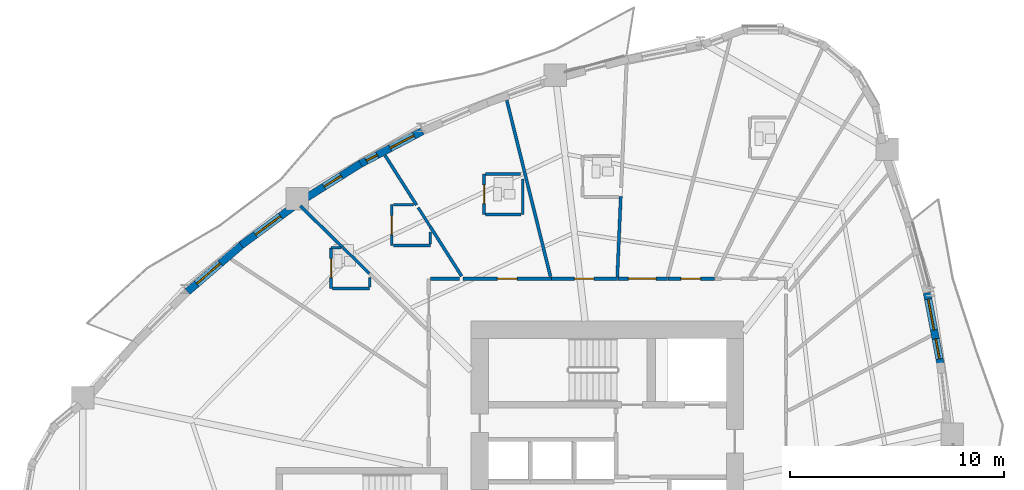
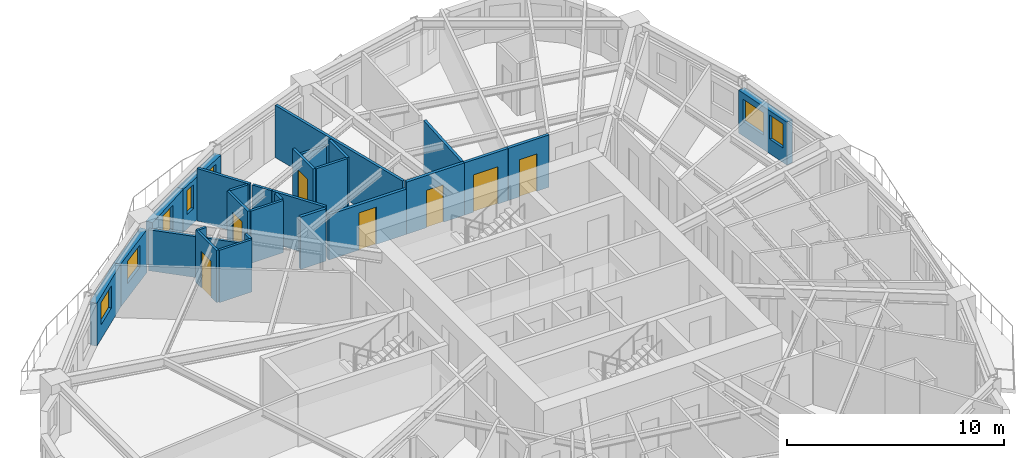
# One storey, part 8 of 14: 29 walls, 7 doors, 7 windows, 14 openings.
"""IFC4 building model written with IfcOpenShell, lengths in metres."""

from ifc_helpers import new_model, si_unit, direction, frame, frame_2d, origin, place, context, subcontext, project, spatial, rectangle, extrude, source, transform, mapped, material, layer, layer_set, type_object, element, fill, save


model = new_model("IFC4")

# Units and contexts
model_context = context("Model", 3, precision=1e-05, world=origin(), true_north=direction((0.0, 1.0)))
body_context = subcontext(model_context, "Body", "Model", "MODEL_VIEW")
ifc_project = project(units=[si_unit("LENGTHUNIT", "METRE"), si_unit("AREAUNIT", "SQUARE_METRE"), si_unit("VOLUMEUNIT", "CUBIC_METRE"), si_unit("PLANEANGLEUNIT", "RADIAN"), si_unit("MASSUNIT", "GRAM", prefix="KILO")], contexts=[model_context])

# Site, building, storey
site_placement = place(None, origin())
site = spatial("IfcSite", under=ifc_project, at=site_placement, CompositionType="ELEMENT")
building_placement = place(site_placement, origin())
building = spatial("IfcBuilding", under=site, at=building_placement, Name="Qafzar Sky-Pleat Residences", CompositionType="ELEMENT")
storey_placement = place(building_placement, frame((0.0, 0.0, 11.0)))
storey = spatial("IfcBuildingStorey", under=building, at=storey_placement, Name="L02", CompositionType="ELEMENT", Elevation=11.0)

# Wall, opening, door
ifc_material_1 = material(Name="Acoustic gypsum plasterboard partition", Category="gypsum")
ifc_layer_1 = layer(ifc_material_1, 0.159912109375)
ifc_layer_set_1 = layer_set([ifc_layer_1], Name="Acoustic gypsum plasterboard partition")
wall_type_1 = type_object("IfcWallType", Name="PART-COR-160", PredefinedType="PARTITIONING", material=ifc_layer_set_1)
wall_1_placement = place(storey_placement, frame((23.617919921875, 36.580078125, 0.0), z_axis=(0.0, 0.0, 1.0), x_axis=(1.0, 0.0, 0.0)))
wall_1 = element("IfcWall", 1, at=wall_1_placement, inside=storey, type_object=wall_type_1, Name="L02 Partition Wall PART-L02-PW-001", PredefinedType="PARTITIONING", context=body_context, shape_type="SweptSolid", body=[
    extrude(rectangle(XDim=4.123046875, YDim=0.159912109375, at=frame_2d((2.0615234375, 0.0))), origin(), (0.0, 0.0, 1.0), 2.548095703125),
])
opening_1_placement = place(wall_1_placement, frame((1.60302734375, 0.0, 0.0)))
opening_1 = element("IfcOpeningElement", 2, at=opening_1_placement, cuts=wall_1, Name="Opening ID-04", PredefinedType="OPENING", context=body_context, shape_type="SweptSolid", body=[
    extrude(rectangle(XDim=0.919921875, YDim=2.10009765625, at=frame_2d((0.4599609375, 1.050048828125))), frame((0.0, 0.08984375, 0.0), z_axis=(0.0, -1.0, 0.0), x_axis=(1.0, 0.0, 0.0)), (0.0, 0.0, 1.0), 0.179931640625),
])
ifc_material_2 = material(Name="Timber-faced fire door", Category="wood")
door_type_1 = type_object("IfcDoorType", Name="DR-BED-920", OperationType="NOTDEFINED", PredefinedType="DOOR", material=ifc_material_2)
shared_shape_1 = source(origin(), body_context, "Body", "SweptSolid", [
    extrude(rectangle(XDim=0.919921875, YDim=2.10009765625, at=frame_2d((0.4599609375, 1.050048828125))), frame((0.0, 0.02490234375, 0.0), z_axis=(0.0, -1.0, 0.0), x_axis=(1.0, 0.0, 0.0)), (0.0, 0.0, 1.0), 0.050048828125),
])
door_1_placement = place(opening_1_placement, origin())
door_1 = element("IfcDoor", 3, at=door_1_placement, inside=storey, type_object=door_type_1, Name="L02 Co-Living Bedroom 9 Door", OperationType="SINGLE_SWING_RIGHT", OverallHeight=2.10009765625, OverallWidth=0.919921875, PredefinedType="DOOR", context=body_context, shape_type="MappedRepresentation", body=[
    mapped(shared_shape_1, transform((0.0, 0.0, 0.0), x_axis=(1.0, 0.0, 0.0), y_axis=(0.0, 1.0, 0.0), z_axis=(0.0, 0.0, 1.0), scale=1.0)),
])
fill(opening_1, door_1)

wall_2_placement = place(storey_placement, frame((27.756103515625, 36.580078125, 0.0), z_axis=(0.0, 0.0, 1.0), x_axis=(1.0, 0.0, 0.0)))
wall_2 = element("IfcWall", 4, at=wall_2_placement, inside=storey, type_object=wall_type_1, Name="L02 Partition Wall PART-L02-PW-006", PredefinedType="PARTITIONING", context=body_context, shape_type="SweptSolid", body=[
    extrude(rectangle(XDim=3.06982421875, YDim=0.159912109375, at=frame_2d((1.534912109375, 0.0))), origin(), (0.0, 0.0, 1.0), 2.93994140625),
])
opening_2_placement = place(wall_2_placement, frame((1.052490234375, 0.0, 0.0)))
opening_2 = element("IfcOpeningElement", 5, at=opening_2_placement, cuts=wall_2, Name="Opening ID-04", PredefinedType="OPENING", context=body_context, shape_type="SweptSolid", body=[
    extrude(rectangle(XDim=0.919921875, YDim=2.10009765625, at=frame_2d((0.4599609375, 1.050048828125))), frame((0.0, 0.08984375, 0.0), z_axis=(0.0, -1.0, 0.0), x_axis=(1.0, 0.0, 0.0)), (0.0, 0.0, 1.0), 0.179931640625),
])
door_2_placement = place(opening_2_placement, origin())
door_2 = element("IfcDoor", 6, at=door_2_placement, inside=storey, type_object=door_type_1, Name="L02 Co-Living Bedroom 8 Door", OperationType="SINGLE_SWING_RIGHT", OverallHeight=2.10009765625, OverallWidth=0.919921875, PredefinedType="DOOR", context=body_context, shape_type="MappedRepresentation", body=[
    mapped(shared_shape_1, transform((0.0, 0.0, 0.0), x_axis=(1.0, 0.0, 0.0), y_axis=(0.0, 1.0, 0.0), z_axis=(0.0, 0.0, 1.0), scale=1.0)),
])
fill(opening_2, door_2)

wall_3_placement = place(storey_placement, frame((30.841064453125, 36.580078125, 0.0), z_axis=(0.0, 0.0, 1.0), x_axis=(1.0, 0.0, 0.0)))
wall_3 = element("IfcWall", 7, at=wall_3_placement, inside=storey, type_object=wall_type_1, Name="L02 Partition Wall PART-L02-PW-018", PredefinedType="PARTITIONING", context=body_context, shape_type="SweptSolid", body=[
    extrude(rectangle(XDim=2.31591796875, YDim=0.159912109375, at=frame_2d((1.157958984375, 0.0))), origin(), (0.0, 0.0, 1.0), 2.93994140625),
])
opening_3_placement = place(wall_3_placement, frame((0.485107421875, 0.0, 0.0)))
opening_3 = element("IfcOpeningElement", 8, at=opening_3_placement, cuts=wall_3, Name="Opening ID-05", PredefinedType="OPENING", context=body_context, shape_type="SweptSolid", body=[
    extrude(rectangle(XDim=1.300048828125, YDim=2.10009765625, at=frame_2d((0.64990234375, 1.050048828125))), frame((0.0, 0.08984375, 0.0), z_axis=(0.0, -1.0, 0.0), x_axis=(1.0, 0.0, 0.0)), (0.0, 0.0, 1.0), 0.179931640625),
])
door_type_2 = type_object("IfcDoorType", Name="DR-LNG-1300", OperationType="DOUBLE_DOOR_SINGLE_SWING", PredefinedType="DOOR", material=ifc_material_2)
shared_shape_2 = source(origin(), body_context, "Body", "SweptSolid", [
    extrude(rectangle(XDim=1.300048828125, YDim=2.10009765625, at=frame_2d((0.64990234375, 1.050048828125))), frame((0.0, 0.02490234375, 0.0), z_axis=(0.0, -1.0, 0.0), x_axis=(1.0, 0.0, 0.0)), (0.0, 0.0, 1.0), 0.050048828125),
])
door_3_placement = place(opening_3_placement, origin())
door_3 = element("IfcDoor", 9, at=door_3_placement, inside=storey, type_object=door_type_2, Name="L02 Communal Kitchen Door", OperationType="DOUBLE_DOOR_SINGLE_SWING", OverallHeight=2.10009765625, OverallWidth=1.300048828125, PredefinedType="DOOR", context=body_context, shape_type="MappedRepresentation", body=[
    mapped(shared_shape_2, transform((0.0, 0.0, 0.0), x_axis=(1.0, 0.0, 0.0), y_axis=(0.0, 1.0, 0.0), z_axis=(0.0, 0.0, 1.0), scale=1.0)),
])
fill(opening_3, door_3)

wall_4_placement = place(storey_placement, frame((33.172119140625, 36.580078125, 0.0), z_axis=(0.0, 0.0, 1.0), x_axis=(1.0, 0.0, 0.0)))
wall_4 = element("IfcWall", 10, at=wall_4_placement, inside=storey, type_object=wall_type_1, Name="L02 Partition Wall PART-L02-PW-020", PredefinedType="PARTITIONING", context=body_context, shape_type="SweptSolid", body=[
    extrude(rectangle(XDim=2.1728515625, YDim=0.159912109375, at=frame_2d((1.08642578125, 0.0))), origin(), (0.0, 0.0, 1.0), 2.93994140625),
])
opening_4_placement = place(wall_4_placement, frame((0.60302734375, 0.0, 0.0)))
opening_4 = element("IfcOpeningElement", 11, at=opening_4_placement, cuts=wall_4, Name="Opening ID-04", PredefinedType="OPENING", context=body_context, shape_type="SweptSolid", body=[
    extrude(rectangle(XDim=0.919921875, YDim=2.10009765625, at=frame_2d((0.4599609375, 1.050048828125))), frame((0.0, 0.08984375, 0.0), z_axis=(0.0, -1.0, 0.0), x_axis=(1.0, 0.0, 0.0)), (0.0, 0.0, 1.0), 0.179931640625),
])
door_4_placement = place(opening_4_placement, origin())
door_4 = element("IfcDoor", 12, at=door_4_placement, inside=storey, type_object=door_type_1, Name="L02 Co-Living Bedroom 7 Door", OperationType="SINGLE_SWING_LEFT", OverallHeight=2.10009765625, OverallWidth=0.919921875, PredefinedType="DOOR", context=body_context, shape_type="MappedRepresentation", body=[
    mapped(shared_shape_1, transform((0.0, 0.0, 0.0), x_axis=(1.0, 0.0, 0.0), y_axis=(0.0, 1.0, 0.0), z_axis=(0.0, 0.0, 1.0), scale=1.0)),
])
fill(opening_4, door_4)

# Walls
wall_5_placement = place(storey_placement, frame((22.10791015625, 36.580078125, 0.0), z_axis=(0.0, 0.0, 1.0), x_axis=(1.0, 0.0, 0.0)))
element("IfcWall", 13, at=wall_5_placement, inside=storey, type_object=wall_type_1, Name="L02 Partition Wall PART-L02-PW-097", PredefinedType="PARTITIONING", context=body_context, shape_type="SweptSolid", body=[
    extrude(rectangle(XDim=1.350341796875, YDim=0.159912109375, at=frame_2d((0.67529296875, 0.0))), origin(), (0.0, 0.0, 1.0), 2.93994140625),
])
ifc_layer_2 = layer(ifc_material_1, 0.14501953125)
ifc_layer_set_2 = layer_set([ifc_layer_2], Name="Acoustic gypsum plasterboard partition")
wall_type_2 = type_object("IfcWallType", Name="PART-UNIT-145", PredefinedType="PARTITIONING", material=ifc_layer_set_2)
wall_6_placement = place(storey_placement, frame((25.6630859375, 44.89892578125, 0.0), z_axis=(0.0, 0.0, 1.0), x_axis=(0.240695577024, -0.970600658974, 0.0)))
element("IfcWall", 14, at=wall_6_placement, inside=storey, type_object=wall_type_2, Name="L02 Partition Wall PART-L02-PW-046", PredefinedType="PARTITIONING", context=body_context, shape_type="SweptSolid", body=[
    extrude(rectangle(XDim=8.46240234375, YDim=0.14501953125, at=frame_2d((4.231201171875, 0.0))), origin(), (0.0, 0.0, 1.0), 2.93994140625),
])
wall_7_placement = place(storey_placement, frame((30.81494140625, 36.671142578125, 0.0), z_axis=(0.0, 0.0, 1.0), x_axis=(0.043352224588, 0.999059850371, 0.0)))
element("IfcWall", 15, at=wall_7_placement, inside=storey, type_object=wall_type_2, Name="L02 Partition Wall PART-L02-PW-062", PredefinedType="PARTITIONING", context=body_context, shape_type="SweptSolid", body=[
    extrude(rectangle(XDim=3.7392578125, YDim=0.14501953125, at=frame_2d((1.86962890625, 0.0))), origin(), (0.0, 0.0, 1.0), 2.93994140625),
])
wall_8_placement = place(storey_placement, frame((22.08203125, 39.028076171875, 0.0), z_axis=(0.0, 0.0, 1.0), x_axis=(0.535944885386, -0.844252971465, 0.0)))
element("IfcWall", 16, at=wall_8_placement, inside=storey, type_object=wall_type_2, Name="L02 Partition Wall PART-L02-PW-069", PredefinedType="PARTITIONING", context=body_context, shape_type="SweptSolid", body=[
    extrude(rectangle(XDim=2.7509765625, YDim=0.14501953125, at=frame_2d((1.37548828125, 0.0))), origin(), (0.0, 0.0, 1.0), 2.93994140625),
])
wall_9_placement = place(storey_placement, frame((16.033935546875, 39.97412109375, 0.0), z_axis=(0.0, 0.0, 1.0), x_axis=(0.715628345471, -0.69848126042, 0.0)))
element("IfcWall", 17, at=wall_9_placement, inside=storey, type_object=wall_type_2, Name="L02 Partition Wall PART-L02-PW-071", PredefinedType="PARTITIONING", context=body_context, shape_type="SweptSolid", body=[
    extrude(rectangle(XDim=2.790771484375, YDim=0.14501953125, at=frame_2d((1.3955078125, 0.0))), origin(), (0.0, 0.0, 1.0), 2.30810546875),
])
wall_10_placement = place(storey_placement, frame((19.98681640625, 42.329833984375, 0.0), z_axis=(0.0, 0.0, 1.0), x_axis=(0.535808561115, -0.844339496788, 0.0)))
element("IfcWall", 18, at=wall_10_placement, inside=storey, type_object=wall_type_2, Name="L02 Partition Wall PART-L02-PW-072", PredefinedType="PARTITIONING", context=body_context, shape_type="SweptSolid", body=[
    extrude(rectangle(XDim=2.740234375, YDim=0.14501953125, at=frame_2d((1.3701171875, 0.0))), origin(), (0.0, 0.0, 1.0), 2.93994140625),
])

# Wall, opening, door
ifc_material_3 = material(Name="Moisture-resistant gypsum partition", Category="gypsum")
ifc_layer_3 = layer(ifc_material_3, 0.1298828125)
ifc_layer_set_3 = layer_set([ifc_layer_3], Name="Moisture-resistant gypsum partition")
wall_type_3 = type_object("IfcWallType", Name="PART-WET-130", PredefinedType="PARTITIONING", material=ifc_layer_set_3)
wall_11_placement = place(storey_placement, frame((24.60595703125, 41.469970703125, 0.0), z_axis=(0.0, 0.0, 1.0), x_axis=(0.0, -1.0, 0.0)))
wall_11 = element("IfcWall", 19, at=wall_11_placement, inside=storey, type_object=wall_type_3, Name="L02 Partition Wall PART-L02-PW-029", PredefinedType="PARTITIONING", context=body_context, shape_type="SweptSolid", body=[
    extrude(rectangle(XDim=1.89990234375, YDim=0.1298828125, at=frame_2d((0.949951171875, 0.0))), origin(), (0.0, 0.0, 1.0), 2.93994140625),
])
opening_5_placement = place(wall_11_placement, frame((0.510009765625, 0.0, 0.0)))
opening_5 = element("IfcOpeningElement", 20, at=opening_5_placement, cuts=wall_11, Name="Opening ID-07", PredefinedType="OPENING", context=body_context, shape_type="SweptSolid", body=[
    extrude(rectangle(XDim=0.8798828125, YDim=2.050048828125, at=frame_2d((0.43994140625, 1.02490234375))), frame((0.0, 0.074951171875, 0.0), z_axis=(0.0, -1.0, 0.0), x_axis=(1.0, 0.0, 0.0)), (0.0, 0.0, 1.0), 0.14990234375),
])
door_type_3 = type_object("IfcDoorType", Name="DR-WET-880", OperationType="NOTDEFINED", PredefinedType="DOOR", material=ifc_material_2)
shared_shape_3 = source(origin(), body_context, "Body", "SweptSolid", [
    extrude(rectangle(XDim=0.8798828125, YDim=2.050048828125, at=frame_2d((0.43994140625, 1.02490234375))), frame((0.0, 0.02490234375, 0.0), z_axis=(0.0, -1.0, 0.0), x_axis=(1.0, 0.0, 0.0)), (0.0, 0.0, 1.0), 0.050048828125),
])
door_5_placement = place(opening_5_placement, origin())
door_5 = element("IfcDoor", 21, at=door_5_placement, inside=storey, type_object=door_type_3, Name="L02 En-suite Bathroom 9 Door", OperationType="SINGLE_SWING_RIGHT", OverallHeight=2.050048828125, OverallWidth=0.8798828125, PredefinedType="DOOR", context=body_context, shape_type="MappedRepresentation", body=[
    mapped(shared_shape_3, transform((0.0, 0.0, 0.0), x_axis=(1.0, 0.0, 0.0), y_axis=(0.0, 1.0, 0.0), z_axis=(0.0, 0.0, 1.0), scale=1.0)),
])
fill(opening_5, door_5)

wall_12_placement = place(storey_placement, frame((17.470947265625, 38.02490234375, 0.0), z_axis=(0.0, 0.0, 1.0), x_axis=(0.0, -1.0, 0.0)))
wall_12 = element("IfcWall", 22, at=wall_12_placement, inside=storey, type_object=wall_type_3, Name="L02 Partition Wall PART-L02-PW-030", PredefinedType="PARTITIONING", context=body_context, shape_type="SweptSolid", body=[
    extrude(rectangle(XDim=1.89990234375, YDim=0.1298828125, at=frame_2d((0.949951171875, 0.0))), origin(), (0.0, 0.0, 1.0), 2.93994140625),
])
opening_6_placement = place(wall_12_placement, frame((0.510009765625, 0.0, 0.0)))
opening_6 = element("IfcOpeningElement", 23, at=opening_6_placement, cuts=wall_12, Name="Opening ID-07", PredefinedType="OPENING", context=body_context, shape_type="SweptSolid", body=[
    extrude(rectangle(XDim=0.8798828125, YDim=2.050048828125, at=frame_2d((0.43994140625, 1.02490234375))), frame((0.0, 0.074951171875, 0.0), z_axis=(0.0, -1.0, 0.0), x_axis=(1.0, 0.0, 0.0)), (0.0, 0.0, 1.0), 0.14990234375),
])
door_6_placement = place(opening_6_placement, origin())
door_6 = element("IfcDoor", 24, at=door_6_placement, inside=storey, type_object=door_type_3, Name="L02 En-suite Bathroom 10 Door", OperationType="SINGLE_SWING_LEFT", OverallHeight=2.050048828125, OverallWidth=0.8798828125, PredefinedType="DOOR", context=body_context, shape_type="MappedRepresentation", body=[
    mapped(shared_shape_3, transform((0.0, 0.0, 0.0), x_axis=(1.0, 0.0, 0.0), y_axis=(0.0, 1.0, 0.0), z_axis=(0.0, 0.0, 1.0), scale=1.0)),
])
fill(opening_6, door_6)

wall_13_placement = place(storey_placement, frame((20.297119140625, 40.031005859375, 0.0), z_axis=(0.0, 0.0, 1.0), x_axis=(0.0, -1.0, 0.0)))
wall_13 = element("IfcWall", 25, at=wall_13_placement, inside=storey, type_object=wall_type_3, Name="L02 Partition Wall PART-L02-PW-031", PredefinedType="PARTITIONING", context=body_context, shape_type="SweptSolid", body=[
    extrude(rectangle(XDim=1.89990234375, YDim=0.1298828125, at=frame_2d((0.949951171875, 0.0))), origin(), (0.0, 0.0, 1.0), 2.93994140625),
])
opening_7_placement = place(wall_13_placement, frame((0.510009765625, 0.0, 0.0)))
opening_7 = element("IfcOpeningElement", 26, at=opening_7_placement, cuts=wall_13, Name="Opening ID-07", PredefinedType="OPENING", context=body_context, shape_type="SweptSolid", body=[
    extrude(rectangle(XDim=0.8798828125, YDim=2.050048828125, at=frame_2d((0.43994140625, 1.02490234375))), frame((0.0, 0.074951171875, 0.0), z_axis=(0.0, -1.0, 0.0), x_axis=(1.0, 0.0, 0.0)), (0.0, 0.0, 1.0), 0.14990234375),
])
door_7_placement = place(opening_7_placement, origin())
door_7 = element("IfcDoor", 27, at=door_7_placement, inside=storey, type_object=door_type_3, Name="L02 En-suite Bathroom 11 Door", OperationType="SINGLE_SWING_RIGHT", OverallHeight=2.050048828125, OverallWidth=0.8798828125, PredefinedType="DOOR", context=body_context, shape_type="MappedRepresentation", body=[
    mapped(shared_shape_3, transform((0.0, 0.0, 0.0), x_axis=(1.0, 0.0, 0.0), y_axis=(0.0, 1.0, 0.0), z_axis=(0.0, 0.0, 1.0), scale=1.0)),
])
fill(opening_7, door_7)

# Walls
wall_14_placement = place(storey_placement, frame((26.406005859375, 39.570068359375, 0.0), z_axis=(0.0, 0.0, 1.0), x_axis=(0.0, 1.0, 0.0)))
element("IfcWall", 28, at=wall_14_placement, inside=storey, type_object=wall_type_3, Name="L02 Partition Wall PART-L02-PW-076", PredefinedType="PARTITIONING", context=body_context, shape_type="SweptSolid", body=[
    extrude(rectangle(XDim=1.659912109375, YDim=0.1298828125, at=frame_2d((0.830078125, 0.0))), origin(), (0.0, 0.0, 1.0), 2.93994140625),
])
wall_15_placement = place(storey_placement, frame((17.5439453125, 36.125, 0.0), z_axis=(0.0, 0.0, 1.0), x_axis=(1.0, 0.0, 0.0)))
element("IfcWall", 29, at=wall_15_placement, inside=storey, type_object=wall_type_3, Name="L02 Partition Wall PART-L02-PW-082", PredefinedType="PARTITIONING", context=body_context, shape_type="SweptSolid", body=[
    extrude(rectangle(XDim=1.72705078125, YDim=0.1298828125, at=frame_2d((0.863525390625, 0.0))), origin(), (0.0, 0.0, 1.0), 2.93994140625),
])
wall_16_placement = place(storey_placement, frame((20.3701171875, 38.131103515625, 0.0), z_axis=(0.0, 0.0, 1.0), x_axis=(1.0, 0.0, 0.0)))
element("IfcWall", 30, at=wall_16_placement, inside=storey, type_object=wall_type_3, Name="L02 Partition Wall PART-L02-PW-083", PredefinedType="PARTITIONING", context=body_context, shape_type="SweptSolid", body=[
    extrude(rectangle(XDim=1.726806640625, YDim=0.1298828125, at=frame_2d((0.86328125, 0.0))), origin(), (0.0, 0.0, 1.0), 2.93994140625),
])
wall_17_placement = place(storey_placement, frame((24.678955078125, 41.469970703125, 0.0), z_axis=(0.0, 0.0, 1.0), x_axis=(1.0, 0.0, 0.0)))
element("IfcWall", 31, at=wall_17_placement, inside=storey, type_object=wall_type_3, Name="L02 Partition Wall PART-L02-PW-087", PredefinedType="PARTITIONING", context=body_context, shape_type="SweptSolid", body=[
    extrude(rectangle(XDim=1.628173828125, YDim=0.1298828125, at=frame_2d((0.81396484375, 0.0))), origin(), (0.0, 0.0, 1.0), 2.508056640625),
])
wall_18_placement = place(storey_placement, frame((24.678955078125, 39.570068359375, 0.0), z_axis=(0.0, 0.0, 1.0), x_axis=(1.0, 0.0, 0.0)))
element("IfcWall", 32, at=wall_18_placement, inside=storey, type_object=wall_type_3, Name="L02 Partition Wall PART-L02-PW-088", PredefinedType="PARTITIONING", context=body_context, shape_type="SweptSolid", body=[
    extrude(rectangle(XDim=1.654052734375, YDim=0.1298828125, at=frame_2d((0.8271484375, 0.0))), origin(), (0.0, 0.0, 1.0), 2.93994140625),
])
wall_19_placement = place(storey_placement, frame((18.041748046875, 38.014404296875, 0.0), z_axis=(0.0, 0.0, 1.0), x_axis=(0.715729497461, -0.698377610225, 0.0)))
element("IfcWall", 33, at=wall_19_placement, inside=storey, type_object=wall_type_3, Name="L02 Partition Wall PART-L02-PW-095", PredefinedType="PARTITIONING", context=body_context, shape_type="SweptSolid", body=[
    extrude(rectangle(XDim=1.702392578125, YDim=0.1298828125, at=frame_2d((0.85107421875, 0.0))), origin(), (0.0, 0.0, 1.0), 2.30810546875),
])
wall_20_placement = place(storey_placement, frame((20.3701171875, 40.031005859375, 0.0), z_axis=(0.0, 0.0, 1.0), x_axis=(1.0, 0.0, 0.0)))
element("IfcWall", 34, at=wall_20_placement, inside=storey, type_object=wall_type_3, Name="L02 Partition Wall PART-L02-PW-103", PredefinedType="PARTITIONING", context=body_context, shape_type="SweptSolid", body=[
    extrude(rectangle(XDim=0.940673828125, YDim=0.1298828125, at=frame_2d((0.47021484375, 0.0))), origin(), (0.0, 0.0, 1.0), 2.93994140625),
])
wall_21_placement = place(storey_placement, frame((21.53076171875, 39.896728515625, 0.0), z_axis=(0.0, 0.0, 1.0), x_axis=(0.536002688679, -0.844216274262, 0.0)))
element("IfcWall", 35, at=wall_21_placement, inside=storey, type_object=wall_type_3, Name="L02 Partition Wall PART-L02-PW-104", PredefinedType="PARTITIONING", context=body_context, shape_type="SweptSolid", body=[
    extrude(rectangle(XDim=1.013916015625, YDim=0.1298828125, at=frame_2d((0.5068359375, 0.0))), origin(), (0.0, 0.0, 1.0), 2.93994140625),
])
wall_22_placement = place(storey_placement, frame((22.096923828125, 38.2041015625, 0.0), z_axis=(0.0, 0.0, 1.0), x_axis=(0.0, 1.0, 0.0)))
element("IfcWall", 36, at=wall_22_placement, inside=storey, type_object=wall_type_3, Name="L02 Partition Wall PART-L02-PW-110", PredefinedType="PARTITIONING", context=body_context, shape_type="SweptSolid", body=[
    extrude(rectangle(XDim=0.560791015625, YDim=0.1298828125, at=frame_2d((0.2802734375, 0.0))), origin(), (0.0, 0.0, 1.0), 2.93994140625),
])
wall_23_placement = place(storey_placement, frame((19.27099609375, 36.197998046875, 0.0), z_axis=(0.0, 0.0, 1.0), x_axis=(0.0, 1.0, 0.0)))
element("IfcWall", 37, at=wall_23_placement, inside=storey, type_object=wall_type_3, Name="L02 Partition Wall PART-L02-PW-115", PredefinedType="PARTITIONING", context=body_context, shape_type="SweptSolid", body=[
    extrude(rectangle(XDim=0.444091796875, YDim=0.1298828125, at=frame_2d((0.22216796875, 0.0))), origin(), (0.0, 0.0, 1.0), 2.93994140625),
])
wall_24_placement = place(storey_placement, frame((17.470947265625, 38.02490234375, 0.0), z_axis=(0.0, 0.0, 1.0), x_axis=(1.0, 0.0, 0.0)))
element("IfcWall", 38, at=wall_24_placement, inside=storey, type_object=wall_type_3, Name="L02 Partition Wall PART-L02-PW-117", PredefinedType="PARTITIONING", context=body_context, shape_type="SweptSolid", body=[
    extrude(rectangle(XDim=0.469970703125, YDim=0.1298828125, at=frame_2d((0.23486328125, 0.0))), origin(), (0.0, 0.0, 1.0), 2.93994140625),
])

# Wall, openings, windows
ifc_material_4 = material(Name="Precast concrete C40/50 with honed Riyadh limestone", Category="concrete")
ifc_layer_4 = layer(ifc_material_4, 0.35009765625)
ifc_layer_set_4 = layer_set([ifc_layer_4], Name="Precast concrete C40/50 with honed Riyadh limestone")
wall_type_4 = type_object("IfcWallType", Name="WALL-EXT-350", PredefinedType="SOLIDWALL", material=ifc_layer_set_4)
wall_25_placement = place(storey_placement, frame((45.888916015625, 32.5810546875, 0.0), z_axis=(0.0, 0.0, 1.0), x_axis=(-0.186670339622, 0.98242260983, 0.0)))
wall_25 = element("IfcWall", 39, at=wall_25_placement, inside=storey, type_object=wall_type_4, Name="L02 Limestone Facade Wall 30", PredefinedType="SOLIDWALL", context=body_context, shape_type="SweptSolid", body=[
    extrude(rectangle(XDim=3.403076171875, YDim=0.35009765625, at=frame_2d((1.70166015625, 0.0))), origin(), (0.0, 0.0, 1.0), 2.419921875),
])
opening_8_placement = place(wall_25_placement, frame((0.2685546875, 0.0, 0.820068359375)))
opening_8 = element("IfcOpeningElement", 40, at=opening_8_placement, cuts=wall_25, Name="Opening WN-12", PredefinedType="OPENING", context=body_context, shape_type="SweptSolid", body=[
    extrude(rectangle(XDim=0.949951171875, YDim=1.35009765625, at=frame_2d((0.47509765625, 0.675048828125))), frame((0.0, 0.18505859375, 0.0), z_axis=(0.0, -1.0, 0.0), x_axis=(1.0, 0.0, 0.0)), (0.0, 0.0, 1.0), 0.3701171875),
])
opening_9_placement = place(wall_25_placement, frame((1.650146484375, 0.0, 0.820068359375)))
opening_9 = element("IfcOpeningElement", 41, at=opening_9_placement, cuts=wall_25, Name="Opening WN-15", PredefinedType="OPENING", context=body_context, shape_type="SweptSolid", body=[
    extrude(rectangle(XDim=1.449951171875, YDim=1.25, at=frame_2d((0.72509765625, 0.625))), frame((0.0, 0.18505859375, 0.0), z_axis=(0.0, -1.0, 0.0), x_axis=(1.0, 0.0, 0.0)), (0.0, 0.0, 1.0), 0.3701171875),
])
ifc_material_5 = material(Name="Solar-control low-E glass in bronze aluminium frame", Category="glass")
window_type_1 = type_object("IfcWindowType", Name="WIN-12", PartitioningType="SINGLE_PANEL", PredefinedType="WINDOW", material=ifc_material_5)
shared_shape_4 = source(origin(), body_context, "Body", "SweptSolid", [
    extrude(rectangle(XDim=0.949951171875, YDim=1.35009765625, at=frame_2d((0.47509765625, 0.675048828125))), frame((0.0, 0.030029296875, 0.0), z_axis=(0.0, -1.0, 0.0), x_axis=(1.0, 0.0, 0.0)), (0.0, 0.0, 1.0), 0.06005859375),
])
window_1_placement = place(opening_8_placement, origin())
window_1 = element("IfcWindow", 42, at=window_1_placement, inside=storey, type_object=window_type_1, Name="L02 Punched Facade Window 30", OverallHeight=1.35009765625, OverallWidth=0.949951171875, PartitioningType="SINGLE_PANEL", PredefinedType="WINDOW", context=body_context, shape_type="MappedRepresentation", body=[
    mapped(shared_shape_4, transform((0.0, 0.0, 0.0), x_axis=(1.0, 0.0, 0.0), y_axis=(0.0, 1.0, 0.0), z_axis=(0.0, 0.0, 1.0), scale=1.0)),
])
fill(opening_8, window_1)
window_type_2 = type_object("IfcWindowType", Name="WIN-15", PartitioningType="SINGLE_PANEL", PredefinedType="WINDOW", material=ifc_material_5)
shared_shape_5 = source(origin(), body_context, "Body", "SweptSolid", [
    extrude(rectangle(XDim=1.449951171875, YDim=1.25, at=frame_2d((0.72509765625, 0.625))), frame((0.0, 0.030029296875, 0.0), z_axis=(0.0, -1.0, 0.0), x_axis=(1.0, 0.0, 0.0)), (0.0, 0.0, 1.0), 0.06005859375),
])
window_2_placement = place(opening_9_placement, origin())
window_2 = element("IfcWindow", 43, at=window_2_placement, inside=storey, type_object=window_type_2, Name="L02 Punched Facade Window 30-2", OverallHeight=1.25, OverallWidth=1.449951171875, PartitioningType="SINGLE_PANEL", PredefinedType="WINDOW", context=body_context, shape_type="MappedRepresentation", body=[
    mapped(shared_shape_5, transform((0.0, 0.0, 0.0), x_axis=(1.0, 0.0, 0.0), y_axis=(0.0, 1.0, 0.0), z_axis=(0.0, 0.0, 1.0), scale=1.0)),
])
fill(opening_9, window_2)

wall_26_placement = place(storey_placement, frame((21.7275390625, 43.4619140625, 0.0), z_axis=(0.0, 0.0, 1.0), x_axis=(-0.884404833282, -0.466720570435, 0.0)))
wall_26 = element("IfcWall", 44, at=wall_26_placement, inside=storey, type_object=wall_type_4, Name="L02 Limestone Facade Wall 43", PredefinedType="SOLIDWALL", context=body_context, shape_type="SweptSolid", body=[
    extrude(rectangle(XDim=3.345703125, YDim=0.35009765625, at=frame_2d((1.6728515625, 0.0))), origin(), (0.0, 0.0, 1.0), 2.419921875),
])
opening_10_placement = place(wall_26_placement, frame((0.43994140625, 0.0, 0.820068359375)))
opening_10 = element("IfcOpeningElement", 45, at=opening_10_placement, cuts=wall_26, Name="Opening WN-11", PredefinedType="OPENING", context=body_context, shape_type="SweptSolid", body=[
    extrude(rectangle(XDim=1.25, YDim=1.35009765625, at=frame_2d((0.625, 0.675048828125))), frame((0.0, 0.18505859375, 0.0), z_axis=(0.0, -1.0, 0.0), x_axis=(1.0, 0.0, 0.0)), (0.0, 0.0, 1.0), 0.3701171875),
])
opening_11_placement = place(wall_26_placement, frame((2.3779296875, 0.0, 0.820068359375)))
opening_11 = element("IfcOpeningElement", 46, at=opening_11_placement, cuts=wall_26, Name="Opening WN-17", PredefinedType="OPENING", context=body_context, shape_type="SweptSolid", body=[
    extrude(rectangle(XDim=0.580078125, YDim=1.35009765625, at=frame_2d((0.2900390625, 0.675048828125))), frame((0.0, 0.18505859375, 0.0), z_axis=(0.0, -1.0, 0.0), x_axis=(1.0, 0.0, 0.0)), (0.0, 0.0, 1.0), 0.3701171875),
])
window_type_3 = type_object("IfcWindowType", Name="WIN-17", PartitioningType="SINGLE_PANEL", PredefinedType="WINDOW", material=ifc_material_5)
shared_shape_6 = source(origin(), body_context, "Body", "SweptSolid", [
    extrude(rectangle(XDim=0.580078125, YDim=1.35009765625, at=frame_2d((0.2900390625, 0.675048828125))), frame((0.0, 0.030029296875, 0.0), z_axis=(0.0, -1.0, 0.0), x_axis=(1.0, 0.0, 0.0)), (0.0, 0.0, 1.0), 0.06005859375),
])
window_3_placement = place(opening_11_placement, origin())
window_3 = element("IfcWindow", 47, at=window_3_placement, inside=storey, type_object=window_type_3, Name="L02 Punched Facade Window 43-2", OverallHeight=1.35009765625, OverallWidth=0.580078125, PartitioningType="SINGLE_PANEL", PredefinedType="WINDOW", context=body_context, shape_type="MappedRepresentation", body=[
    mapped(shared_shape_6, transform((0.0, 0.0, 0.0), x_axis=(1.0, 0.0, 0.0), y_axis=(0.0, 1.0, 0.0), z_axis=(0.0, 0.0, 1.0), scale=1.0)),
])
fill(opening_11, window_3)
window_type_4 = type_object("IfcWindowType", Name="WIN-11", PartitioningType="SINGLE_PANEL", PredefinedType="WINDOW", material=ifc_material_5)
shared_shape_7 = source(origin(), body_context, "Body", "SweptSolid", [
    extrude(rectangle(XDim=1.25, YDim=1.35009765625, at=frame_2d((0.625, 0.675048828125))), frame((0.0, 0.030029296875, 0.0), z_axis=(0.0, -1.0, 0.0), x_axis=(1.0, 0.0, 0.0)), (0.0, 0.0, 1.0), 0.06005859375),
])
window_4_placement = place(opening_10_placement, origin())
window_4 = element("IfcWindow", 48, at=window_4_placement, inside=storey, type_object=window_type_4, Name="L02 Punched Facade Window 43", OverallHeight=1.35009765625, OverallWidth=1.25, PartitioningType="SINGLE_PANEL", PredefinedType="WINDOW", context=body_context, shape_type="MappedRepresentation", body=[
    mapped(shared_shape_7, transform((0.0, 0.0, 0.0), x_axis=(1.0, 0.0, 0.0), y_axis=(0.0, 1.0, 0.0), z_axis=(0.0, 0.0, 1.0), scale=1.0)),
])
fill(opening_10, window_4)

# Wall, opening, window
wall_27_placement = place(storey_placement, frame((18.845703125, 41.94482421875, 0.0), z_axis=(0.0, 0.0, 1.0), x_axis=(-0.846424281274, -0.532509094824, 0.0)))
wall_27 = element("IfcWall", 49, at=wall_27_placement, inside=storey, type_object=wall_type_4, Name="L02 Limestone Facade Wall 44", PredefinedType="SOLIDWALL", context=body_context, shape_type="SweptSolid", body=[
    extrude(rectangle(XDim=3.06591796875, YDim=0.35009765625, at=frame_2d((1.532958984375, 0.0))), origin(), (0.0, 0.0, 1.0), 2.419921875),
])
opening_12_placement = place(wall_27_placement, frame((1.06298828125, 0.0, 0.820068359375)))
opening_12 = element("IfcOpeningElement", 50, at=opening_12_placement, cuts=wall_27, Name="Opening WN-12", PredefinedType="OPENING", context=body_context, shape_type="SweptSolid", body=[
    extrude(rectangle(XDim=0.949951171875, YDim=1.35009765625, at=frame_2d((0.47509765625, 0.675048828125))), frame((0.0, 0.18505859375, 0.0), z_axis=(0.0, -1.0, 0.0), x_axis=(1.0, 0.0, 0.0)), (0.0, 0.0, 1.0), 0.3701171875),
])
window_5_placement = place(opening_12_placement, origin())
window_5 = element("IfcWindow", 51, at=window_5_placement, inside=storey, type_object=window_type_1, Name="L02 Punched Facade Window 44", OverallHeight=1.35009765625, OverallWidth=0.949951171875, PartitioningType="SINGLE_PANEL", PredefinedType="WINDOW", context=body_context, shape_type="MappedRepresentation", body=[
    mapped(shared_shape_4, transform((0.0, 0.0, 0.0), x_axis=(1.0, 0.0, 0.0), y_axis=(0.0, 1.0, 0.0), z_axis=(0.0, 0.0, 1.0), scale=1.0)),
])
fill(opening_12, window_5)

wall_28_placement = place(storey_placement, frame((15.7666015625, 39.9814453125, 0.0), z_axis=(0.0, 0.0, 1.0), x_axis=(-0.803838872114, -0.59484709605, 0.0)))
wall_28 = element("IfcWall", 52, at=wall_28_placement, inside=storey, type_object=wall_type_4, Name="L02 Limestone Facade Wall 45", PredefinedType="SOLIDWALL", context=body_context, shape_type="SweptSolid", body=[
    extrude(rectangle(XDim=3.085205078125, YDim=0.35009765625, at=frame_2d((1.54248046875, 0.0))), origin(), (0.0, 0.0, 1.0), 2.419921875),
])
opening_13_placement = place(wall_28_placement, frame((0.8125, 0.0, 0.820068359375)))
opening_13 = element("IfcOpeningElement", 53, at=opening_13_placement, cuts=wall_28, Name="Opening WN-15", PredefinedType="OPENING", context=body_context, shape_type="SweptSolid", body=[
    extrude(rectangle(XDim=1.449951171875, YDim=1.25, at=frame_2d((0.72509765625, 0.625))), frame((0.0, 0.18505859375, 0.0), z_axis=(0.0, -1.0, 0.0), x_axis=(1.0, 0.0, 0.0)), (0.0, 0.0, 1.0), 0.3701171875),
])
window_6_placement = place(opening_13_placement, origin())
window_6 = element("IfcWindow", 54, at=window_6_placement, inside=storey, type_object=window_type_2, Name="L02 Punched Facade Window 45", OverallHeight=1.25, OverallWidth=1.449951171875, PartitioningType="SINGLE_PANEL", PredefinedType="WINDOW", context=body_context, shape_type="MappedRepresentation", body=[
    mapped(shared_shape_5, transform((0.0, 0.0, 0.0), x_axis=(1.0, 0.0, 0.0), y_axis=(0.0, 1.0, 0.0), z_axis=(0.0, 0.0, 1.0), scale=1.0)),
])
fill(opening_13, window_6)

wall_29_placement = place(storey_placement, frame((13.356201171875, 38.201904296875, 0.0), z_axis=(0.0, 0.0, 1.0), x_axis=(-0.757466232343, -0.65287434232, 0.0)))
wall_29 = element("IfcWall", 55, at=wall_29_placement, inside=storey, type_object=wall_type_4, Name="L02 Limestone Facade Wall 46", PredefinedType="SOLIDWALL", context=body_context, shape_type="SweptSolid", body=[
    extrude(rectangle(XDim=3.4033203125, YDim=0.35009765625, at=frame_2d((1.70166015625, 0.0))), origin(), (0.0, 0.0, 1.0), 2.419921875),
])
opening_14_placement = place(wall_29_placement, frame((1.3876953125, 0.0, 0.820068359375)))
opening_14 = element("IfcOpeningElement", 56, at=opening_14_placement, cuts=wall_29, Name="Opening WN-15", PredefinedType="OPENING", context=body_context, shape_type="SweptSolid", body=[
    extrude(rectangle(XDim=1.449951171875, YDim=1.25, at=frame_2d((0.72509765625, 0.625))), frame((0.0, 0.18505859375, 0.0), z_axis=(0.0, -1.0, 0.0), x_axis=(1.0, 0.0, 0.0)), (0.0, 0.0, 1.0), 0.3701171875),
])
window_7_placement = place(opening_14_placement, origin())
window_7 = element("IfcWindow", 57, at=window_7_placement, inside=storey, type_object=window_type_2, Name="L02 Punched Facade Window 46-2", OverallHeight=1.25, OverallWidth=1.449951171875, PartitioningType="SINGLE_PANEL", PredefinedType="WINDOW", context=body_context, shape_type="MappedRepresentation", body=[
    mapped(shared_shape_5, transform((0.0, 0.0, 0.0), x_axis=(1.0, 0.0, 0.0), y_axis=(0.0, 1.0, 0.0), z_axis=(0.0, 0.0, 1.0), scale=1.0)),
])
fill(opening_14, window_7)

save(model, "model.ifc")
